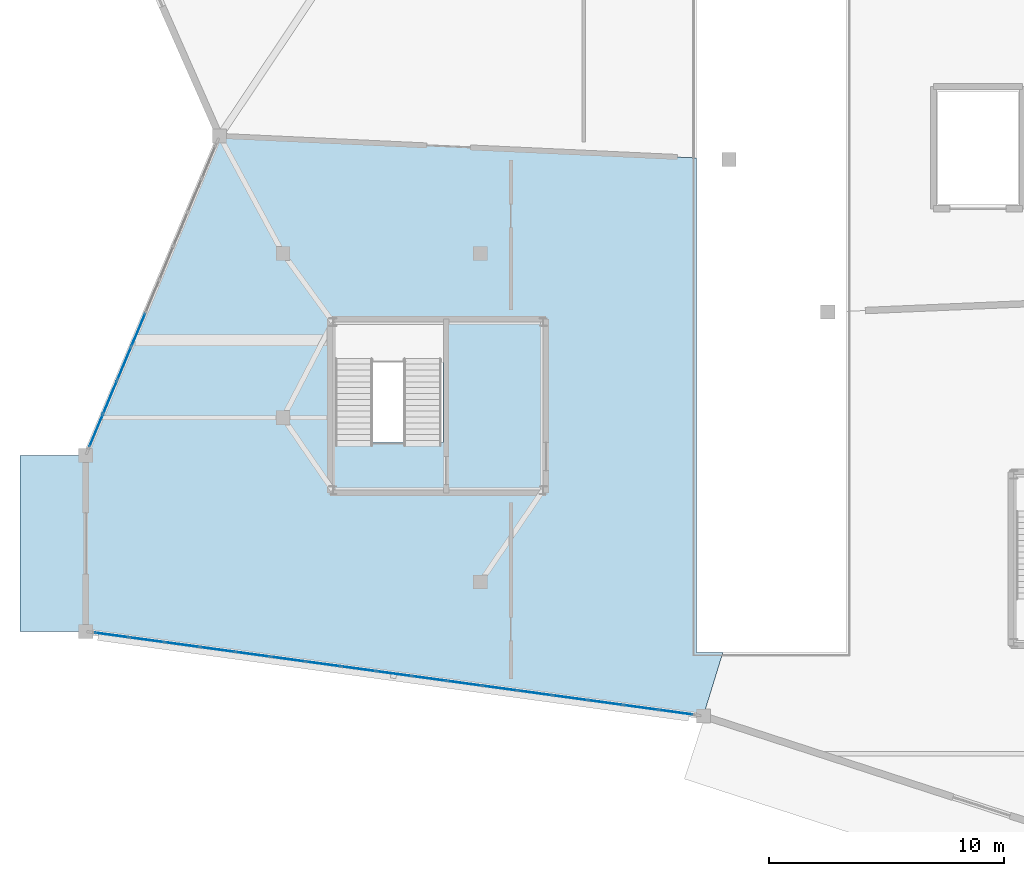
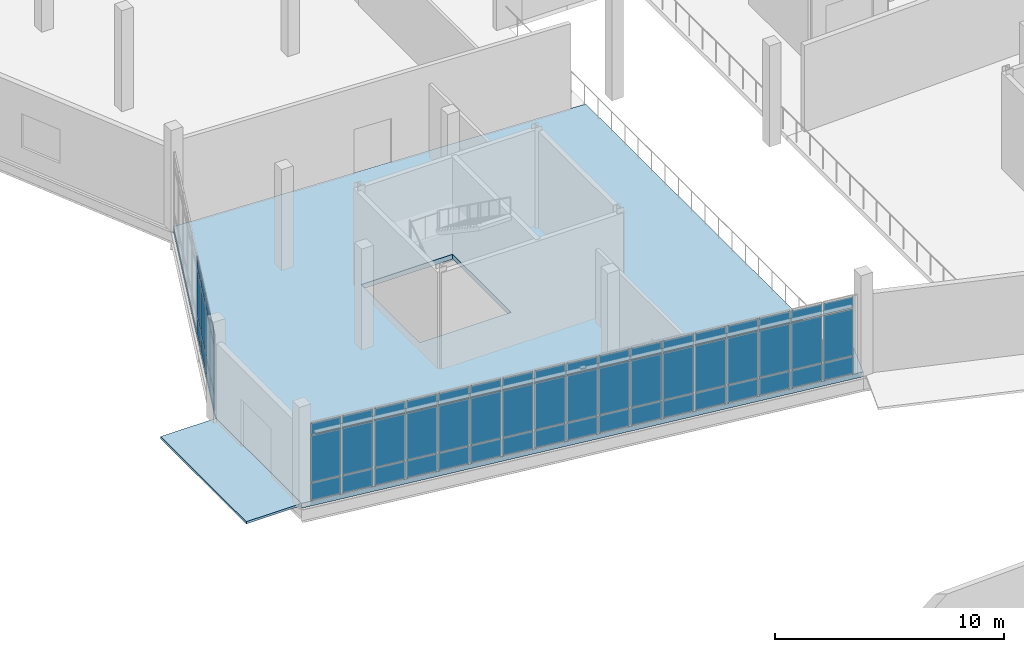
# One storey, part 75 of 113: 63 plates, 2 slabs, 2 elements without a shape of their own.
"""IFC4 building model written with IfcOpenShell, lengths in metres."""

from ifc_helpers import new_model, si_unit, direction, frame, origin, origin_2d, place, context, subcontext, project, spatial, polyline, rectangle, outline, extrude, material, layer, layer_set, type_object, element, aggregate, save


model = new_model("IFC4")

# Units and contexts
model_context = context("Model", 3, precision=1e-05, world=origin(), true_north=direction((0.0, 1.0)))
body_context = subcontext(model_context, "Body", "Model", "MODEL_VIEW")
ifc_project = project(units=[si_unit("LENGTHUNIT", "METRE"), si_unit("AREAUNIT", "SQUARE_METRE"), si_unit("VOLUMEUNIT", "CUBIC_METRE"), si_unit("PLANEANGLEUNIT", "RADIAN"), si_unit("MASSUNIT", "GRAM", prefix="KILO")], contexts=[model_context])

# Site, building, storey
site_placement = place(None, origin())
site = spatial("IfcSite", under=ifc_project, at=site_placement, CompositionType="ELEMENT")
building_placement = place(site_placement, origin())
building = spatial("IfcBuilding", under=site, at=building_placement, Name="Tameran Prism Museum", CompositionType="ELEMENT")
storey_placement = place(building_placement, origin())
storey = spatial("IfcBuildingStorey", under=building, at=storey_placement, Name="L00", CompositionType="ELEMENT", Elevation=0.0)

# Curtain wall, plates
ifc_material_1 = material(Name="Anodised Aluminium 6063-T6 and Cyclone Solar Glass", Category="aluminium")
curtain_wall_type_1 = type_object("IfcCurtainWallType", Name="CW-FAC-2579x422", PredefinedType="USERDEFINED", material=ifc_material_1)
curtain_wall_1_placement = place(storey_placement, origin())
curtain_wall_1 = element("IfcCurtainWall", 1, at=curtain_wall_1_placement, inside=storey, type_object=curtain_wall_type_1, Name="Unitised Curtain Wall CW-051", ObjectType="UNITISED CURTAIN WALL", PredefinedType="USERDEFINED")
ifc_material_2 = material(Name="Low-E Laminated Solar Glass", Category="glass")
ifc_layer_1 = layer(ifc_material_2, 0.028076171875)
ifc_layer_set_1 = layer_set([ifc_layer_1])
plate_type_1 = type_object("IfcPlateType", Name="CW-PNL-G28", PredefinedType="CURTAIN_PANEL", material=ifc_layer_set_1)
plate_1_placement = place(storey_placement, frame((25.12646484375, 64.460205078125, 0.06494140625), z_axis=(0.0, 0.0, 1.0), x_axis=(-0.990755679961, 0.135658330466, 0.0)))
plate_1 = element("IfcPlate", 2, at=plate_1_placement, type_object=plate_type_1, Name="CW-051 panel 1.1", PredefinedType="CURTAIN_PANEL", context=body_context, shape_type="SweptSolid", body=[
    extrude(rectangle(XDim=1.419189453125, YDim=0.028076171875, at=origin_2d()), origin(), (0.0, 0.0, 1.0), 0.902587890625),
])
plate_2_placement = place(storey_placement, frame((25.12646484375, 64.460205078125, 1.032470703125), z_axis=(0.0, 0.0, 1.0), x_axis=(-0.990755679961, 0.135658330466, 0.0)))
plate_2 = element("IfcPlate", 3, at=plate_2_placement, type_object=plate_type_1, Name="CW-051 panel 1.2", PredefinedType="CURTAIN_PANEL", context=body_context, shape_type="SweptSolid", body=[
    extrude(rectangle(XDim=1.419189453125, YDim=0.028076171875, at=origin_2d()), origin(), (0.0, 0.0, 1.0), 2.47509765625),
])
plate_3_placement = place(storey_placement, frame((25.12646484375, 64.460205078125, 3.572509765625), z_axis=(0.0, 0.0, 1.0), x_axis=(-0.990755679961, 0.135658330466, 0.0)))
plate_3 = element("IfcPlate", 4, at=plate_3_placement, type_object=plate_type_1, Name="CW-051 panel 1.3", PredefinedType="CURTAIN_PANEL", context=body_context, shape_type="SweptSolid", body=[
    extrude(rectangle(XDim=1.419189453125, YDim=0.028076171875, at=origin_2d()), origin(), (0.0, 0.0, 1.0), 0.58251953125),
])
plate_4_placement = place(storey_placement, frame((23.639892578125, 64.66357421875, 0.06494140625), z_axis=(0.0, 0.0, 1.0), x_axis=(-0.990755679961, 0.135658330466, 0.0)))
plate_4 = element("IfcPlate", 5, at=plate_4_placement, type_object=plate_type_1, Name="CW-051 panel 2.1", PredefinedType="CURTAIN_PANEL", context=body_context, shape_type="SweptSolid", body=[
    extrude(rectangle(XDim=1.451904296875, YDim=0.028076171875, at=origin_2d()), origin(), (0.0, 0.0, 1.0), 0.902587890625),
])
plate_5_placement = place(storey_placement, frame((23.639892578125, 64.66357421875, 1.032470703125), z_axis=(0.0, 0.0, 1.0), x_axis=(-0.990755679961, 0.135658330466, 0.0)))
plate_5 = element("IfcPlate", 6, at=plate_5_placement, type_object=plate_type_1, Name="CW-051 panel 2.2", PredefinedType="CURTAIN_PANEL", context=body_context, shape_type="SweptSolid", body=[
    extrude(rectangle(XDim=1.451904296875, YDim=0.028076171875, at=origin_2d()), origin(), (0.0, 0.0, 1.0), 2.47509765625),
])
plate_6_placement = place(storey_placement, frame((23.639892578125, 64.66357421875, 3.572509765625), z_axis=(0.0, 0.0, 1.0), x_axis=(-0.990755679961, 0.135658330466, 0.0)))
plate_6 = element("IfcPlate", 7, at=plate_6_placement, type_object=plate_type_1, Name="CW-051 panel 2.3", PredefinedType="CURTAIN_PANEL", context=body_context, shape_type="SweptSolid", body=[
    extrude(rectangle(XDim=1.451904296875, YDim=0.028076171875, at=origin_2d()), origin(), (0.0, 0.0, 1.0), 0.58251953125),
])
plate_7_placement = place(storey_placement, frame((22.13720703125, 64.869384765625, 0.06494140625), z_axis=(0.0, 0.0, 1.0), x_axis=(-0.990755679961, 0.135658330466, 0.0)))
plate_7 = element("IfcPlate", 8, at=plate_7_placement, type_object=plate_type_1, Name="CW-051 panel 3.1", PredefinedType="CURTAIN_PANEL", context=body_context, shape_type="SweptSolid", body=[
    extrude(rectangle(XDim=1.451904296875, YDim=0.028076171875, at=origin_2d()), origin(), (0.0, 0.0, 1.0), 0.902587890625),
])
plate_8_placement = place(storey_placement, frame((22.13720703125, 64.869384765625, 1.032470703125), z_axis=(0.0, 0.0, 1.0), x_axis=(-0.990755679961, 0.135658330466, 0.0)))
plate_8 = element("IfcPlate", 9, at=plate_8_placement, type_object=plate_type_1, Name="CW-051 panel 3.2", PredefinedType="CURTAIN_PANEL", context=body_context, shape_type="SweptSolid", body=[
    extrude(rectangle(XDim=1.451904296875, YDim=0.028076171875, at=origin_2d()), origin(), (0.0, 0.0, 1.0), 2.47509765625),
])
plate_9_placement = place(storey_placement, frame((22.13720703125, 64.869384765625, 3.572509765625), z_axis=(0.0, 0.0, 1.0), x_axis=(-0.990755679961, 0.135658330466, 0.0)))
plate_9 = element("IfcPlate", 10, at=plate_9_placement, type_object=plate_type_1, Name="CW-051 panel 3.3", PredefinedType="CURTAIN_PANEL", context=body_context, shape_type="SweptSolid", body=[
    extrude(rectangle(XDim=1.451904296875, YDim=0.028076171875, at=origin_2d()), origin(), (0.0, 0.0, 1.0), 0.58251953125),
])
plate_10_placement = place(storey_placement, frame((20.63427734375, 65.0751953125, 0.06494140625), z_axis=(0.0, 0.0, 1.0), x_axis=(-0.990755679961, 0.135658330466, 0.0)))
plate_10 = element("IfcPlate", 11, at=plate_10_placement, type_object=plate_type_1, Name="CW-051 panel 4.1", PredefinedType="CURTAIN_PANEL", context=body_context, shape_type="SweptSolid", body=[
    extrude(rectangle(XDim=1.451904296875, YDim=0.028076171875, at=origin_2d()), origin(), (0.0, 0.0, 1.0), 0.902587890625),
])
plate_11_placement = place(storey_placement, frame((20.63427734375, 65.0751953125, 1.032470703125), z_axis=(0.0, 0.0, 1.0), x_axis=(-0.990755679961, 0.135658330466, 0.0)))
plate_11 = element("IfcPlate", 12, at=plate_11_placement, type_object=plate_type_1, Name="CW-051 panel 4.2", PredefinedType="CURTAIN_PANEL", context=body_context, shape_type="SweptSolid", body=[
    extrude(rectangle(XDim=1.451904296875, YDim=0.028076171875, at=origin_2d()), origin(), (0.0, 0.0, 1.0), 2.47509765625),
])
plate_12_placement = place(storey_placement, frame((20.63427734375, 65.0751953125, 3.572509765625), z_axis=(0.0, 0.0, 1.0), x_axis=(-0.990755679961, 0.135658330466, 0.0)))
plate_12 = element("IfcPlate", 13, at=plate_12_placement, type_object=plate_type_1, Name="CW-051 panel 4.3", PredefinedType="CURTAIN_PANEL", context=body_context, shape_type="SweptSolid", body=[
    extrude(rectangle(XDim=1.451904296875, YDim=0.028076171875, at=origin_2d()), origin(), (0.0, 0.0, 1.0), 0.58251953125),
])
plate_13_placement = place(storey_placement, frame((19.131591796875, 65.281005859375, 0.06494140625), z_axis=(0.0, 0.0, 1.0), x_axis=(-0.990755679961, 0.135658330466, 0.0)))
plate_13 = element("IfcPlate", 14, at=plate_13_placement, type_object=plate_type_1, Name="CW-051 panel 5.1", PredefinedType="CURTAIN_PANEL", context=body_context, shape_type="SweptSolid", body=[
    extrude(rectangle(XDim=1.451904296875, YDim=0.028076171875, at=origin_2d()), origin(), (0.0, 0.0, 1.0), 0.902587890625),
])
plate_14_placement = place(storey_placement, frame((19.131591796875, 65.281005859375, 1.032470703125), z_axis=(0.0, 0.0, 1.0), x_axis=(-0.990755679961, 0.135658330466, 0.0)))
plate_14 = element("IfcPlate", 15, at=plate_14_placement, type_object=plate_type_1, Name="CW-051 panel 5.2", PredefinedType="CURTAIN_PANEL", context=body_context, shape_type="SweptSolid", body=[
    extrude(rectangle(XDim=1.451904296875, YDim=0.028076171875, at=origin_2d()), origin(), (0.0, 0.0, 1.0), 2.47509765625),
])
plate_15_placement = place(storey_placement, frame((19.131591796875, 65.281005859375, 3.572509765625), z_axis=(0.0, 0.0, 1.0), x_axis=(-0.990755679961, 0.135658330466, 0.0)))
plate_15 = element("IfcPlate", 16, at=plate_15_placement, type_object=plate_type_1, Name="CW-051 panel 5.3", PredefinedType="CURTAIN_PANEL", context=body_context, shape_type="SweptSolid", body=[
    extrude(rectangle(XDim=1.451904296875, YDim=0.028076171875, at=origin_2d()), origin(), (0.0, 0.0, 1.0), 0.58251953125),
])
plate_16_placement = place(storey_placement, frame((17.62890625, 65.48681640625, 0.06494140625), z_axis=(0.0, 0.0, 1.0), x_axis=(-0.990755679961, 0.135658330466, 0.0)))
plate_16 = element("IfcPlate", 17, at=plate_16_placement, type_object=plate_type_1, Name="CW-051 panel 6.1", PredefinedType="CURTAIN_PANEL", context=body_context, shape_type="SweptSolid", body=[
    extrude(rectangle(XDim=1.451904296875, YDim=0.028076171875, at=origin_2d()), origin(), (0.0, 0.0, 1.0), 0.902587890625),
])
plate_17_placement = place(storey_placement, frame((17.62890625, 65.48681640625, 1.032470703125), z_axis=(0.0, 0.0, 1.0), x_axis=(-0.990755679961, 0.135658330466, 0.0)))
plate_17 = element("IfcPlate", 18, at=plate_17_placement, type_object=plate_type_1, Name="CW-051 panel 6.2", PredefinedType="CURTAIN_PANEL", context=body_context, shape_type="SweptSolid", body=[
    extrude(rectangle(XDim=1.451904296875, YDim=0.028076171875, at=origin_2d()), origin(), (0.0, 0.0, 1.0), 2.47509765625),
])
plate_18_placement = place(storey_placement, frame((17.62890625, 65.48681640625, 3.572509765625), z_axis=(0.0, 0.0, 1.0), x_axis=(-0.990755679961, 0.135658330466, 0.0)))
plate_18 = element("IfcPlate", 19, at=plate_18_placement, type_object=plate_type_1, Name="CW-051 panel 6.3", PredefinedType="CURTAIN_PANEL", context=body_context, shape_type="SweptSolid", body=[
    extrude(rectangle(XDim=1.451904296875, YDim=0.028076171875, at=origin_2d()), origin(), (0.0, 0.0, 1.0), 0.58251953125),
])
plate_19_placement = place(storey_placement, frame((16.1259765625, 65.6923828125, 0.06494140625), z_axis=(0.0, 0.0, 1.0), x_axis=(-0.990755679961, 0.135658330466, 0.0)))
plate_19 = element("IfcPlate", 20, at=plate_19_placement, type_object=plate_type_1, Name="CW-051 panel 7.1", PredefinedType="CURTAIN_PANEL", context=body_context, shape_type="SweptSolid", body=[
    extrude(rectangle(XDim=1.451904296875, YDim=0.028076171875, at=origin_2d()), origin(), (0.0, 0.0, 1.0), 0.902587890625),
])
plate_20_placement = place(storey_placement, frame((16.1259765625, 65.6923828125, 1.032470703125), z_axis=(0.0, 0.0, 1.0), x_axis=(-0.990755679961, 0.135658330466, 0.0)))
plate_20 = element("IfcPlate", 21, at=plate_20_placement, type_object=plate_type_1, Name="CW-051 panel 7.2", PredefinedType="CURTAIN_PANEL", context=body_context, shape_type="SweptSolid", body=[
    extrude(rectangle(XDim=1.451904296875, YDim=0.028076171875, at=origin_2d()), origin(), (0.0, 0.0, 1.0), 2.47509765625),
])
plate_21_placement = place(storey_placement, frame((16.1259765625, 65.6923828125, 3.572509765625), z_axis=(0.0, 0.0, 1.0), x_axis=(-0.990755679961, 0.135658330466, 0.0)))
plate_21 = element("IfcPlate", 22, at=plate_21_placement, type_object=plate_type_1, Name="CW-051 panel 7.3", PredefinedType="CURTAIN_PANEL", context=body_context, shape_type="SweptSolid", body=[
    extrude(rectangle(XDim=1.451904296875, YDim=0.028076171875, at=origin_2d()), origin(), (0.0, 0.0, 1.0), 0.58251953125),
])
plate_22_placement = place(storey_placement, frame((14.623291015625, 65.898193359375, 0.06494140625), z_axis=(0.0, 0.0, 1.0), x_axis=(-0.990755679961, 0.135658330466, 0.0)))
plate_22 = element("IfcPlate", 23, at=plate_22_placement, type_object=plate_type_1, Name="CW-051 panel 8.1", PredefinedType="CURTAIN_PANEL", context=body_context, shape_type="SweptSolid", body=[
    extrude(rectangle(XDim=1.451904296875, YDim=0.028076171875, at=origin_2d()), origin(), (0.0, 0.0, 1.0), 0.902587890625),
])
plate_23_placement = place(storey_placement, frame((14.623291015625, 65.898193359375, 1.032470703125), z_axis=(0.0, 0.0, 1.0), x_axis=(-0.990755679961, 0.135658330466, 0.0)))
plate_23 = element("IfcPlate", 24, at=plate_23_placement, type_object=plate_type_1, Name="CW-051 panel 8.2", PredefinedType="CURTAIN_PANEL", context=body_context, shape_type="SweptSolid", body=[
    extrude(rectangle(XDim=1.451904296875, YDim=0.028076171875, at=origin_2d()), origin(), (0.0, 0.0, 1.0), 2.47509765625),
])
plate_24_placement = place(storey_placement, frame((14.623291015625, 65.898193359375, 3.572509765625), z_axis=(0.0, 0.0, 1.0), x_axis=(-0.990755679961, 0.135658330466, 0.0)))
plate_24 = element("IfcPlate", 25, at=plate_24_placement, type_object=plate_type_1, Name="CW-051 panel 8.3", PredefinedType="CURTAIN_PANEL", context=body_context, shape_type="SweptSolid", body=[
    extrude(rectangle(XDim=1.451904296875, YDim=0.028076171875, at=origin_2d()), origin(), (0.0, 0.0, 1.0), 0.58251953125),
])
plate_25_placement = place(storey_placement, frame((13.12060546875, 66.10400390625, 0.06494140625), z_axis=(0.0, 0.0, 1.0), x_axis=(-0.990755679961, 0.135658330466, 0.0)))
plate_25 = element("IfcPlate", 26, at=plate_25_placement, type_object=plate_type_1, Name="CW-051 panel 9.1", PredefinedType="CURTAIN_PANEL", context=body_context, shape_type="SweptSolid", body=[
    extrude(rectangle(XDim=1.451904296875, YDim=0.028076171875, at=origin_2d()), origin(), (0.0, 0.0, 1.0), 0.902587890625),
])
plate_26_placement = place(storey_placement, frame((13.12060546875, 66.10400390625, 1.032470703125), z_axis=(0.0, 0.0, 1.0), x_axis=(-0.990755679961, 0.135658330466, 0.0)))
plate_26 = element("IfcPlate", 27, at=plate_26_placement, type_object=plate_type_1, Name="CW-051 panel 9.2", PredefinedType="CURTAIN_PANEL", context=body_context, shape_type="SweptSolid", body=[
    extrude(rectangle(XDim=1.451904296875, YDim=0.028076171875, at=origin_2d()), origin(), (0.0, 0.0, 1.0), 2.47509765625),
])
plate_27_placement = place(storey_placement, frame((13.12060546875, 66.10400390625, 3.572509765625), z_axis=(0.0, 0.0, 1.0), x_axis=(-0.990755679961, 0.135658330466, 0.0)))
plate_27 = element("IfcPlate", 28, at=plate_27_placement, type_object=plate_type_1, Name="CW-051 panel 9.3", PredefinedType="CURTAIN_PANEL", context=body_context, shape_type="SweptSolid", body=[
    extrude(rectangle(XDim=1.451904296875, YDim=0.028076171875, at=origin_2d()), origin(), (0.0, 0.0, 1.0), 0.58251953125),
])
plate_28_placement = place(storey_placement, frame((11.61767578125, 66.309814453125, 0.06494140625), z_axis=(0.0, 0.0, 1.0), x_axis=(-0.990755679961, 0.135658330466, 0.0)))
plate_28 = element("IfcPlate", 29, at=plate_28_placement, type_object=plate_type_1, Name="CW-051 panel 10.1", PredefinedType="CURTAIN_PANEL", context=body_context, shape_type="SweptSolid", body=[
    extrude(rectangle(XDim=1.451904296875, YDim=0.028076171875, at=origin_2d()), origin(), (0.0, 0.0, 1.0), 0.902587890625),
])
plate_29_placement = place(storey_placement, frame((11.61767578125, 66.309814453125, 1.032470703125), z_axis=(0.0, 0.0, 1.0), x_axis=(-0.990755679961, 0.135658330466, 0.0)))
plate_29 = element("IfcPlate", 30, at=plate_29_placement, type_object=plate_type_1, Name="CW-051 panel 10.2", PredefinedType="CURTAIN_PANEL", context=body_context, shape_type="SweptSolid", body=[
    extrude(rectangle(XDim=1.451904296875, YDim=0.028076171875, at=origin_2d()), origin(), (0.0, 0.0, 1.0), 2.47509765625),
])
plate_30_placement = place(storey_placement, frame((11.61767578125, 66.309814453125, 3.572509765625), z_axis=(0.0, 0.0, 1.0), x_axis=(-0.990755679961, 0.135658330466, 0.0)))
plate_30 = element("IfcPlate", 31, at=plate_30_placement, type_object=plate_type_1, Name="CW-051 panel 10.3", PredefinedType="CURTAIN_PANEL", context=body_context, shape_type="SweptSolid", body=[
    extrude(rectangle(XDim=1.451904296875, YDim=0.028076171875, at=origin_2d()), origin(), (0.0, 0.0, 1.0), 0.58251953125),
])
plate_31_placement = place(storey_placement, frame((10.114990234375, 66.515625, 0.06494140625), z_axis=(0.0, 0.0, 1.0), x_axis=(-0.990755679961, 0.135658330466, 0.0)))
plate_31 = element("IfcPlate", 32, at=plate_31_placement, type_object=plate_type_1, Name="CW-051 panel 11.1", PredefinedType="CURTAIN_PANEL", context=body_context, shape_type="SweptSolid", body=[
    extrude(rectangle(XDim=1.451904296875, YDim=0.028076171875, at=origin_2d()), origin(), (0.0, 0.0, 1.0), 0.902587890625),
])
plate_32_placement = place(storey_placement, frame((10.114990234375, 66.515625, 1.032470703125), z_axis=(0.0, 0.0, 1.0), x_axis=(-0.990755679961, 0.135658330466, 0.0)))
plate_32 = element("IfcPlate", 33, at=plate_32_placement, type_object=plate_type_1, Name="CW-051 panel 11.2", PredefinedType="CURTAIN_PANEL", context=body_context, shape_type="SweptSolid", body=[
    extrude(rectangle(XDim=1.451904296875, YDim=0.028076171875, at=origin_2d()), origin(), (0.0, 0.0, 1.0), 2.47509765625),
])
plate_33_placement = place(storey_placement, frame((10.114990234375, 66.515625, 3.572509765625), z_axis=(0.0, 0.0, 1.0), x_axis=(-0.990755679961, 0.135658330466, 0.0)))
plate_33 = element("IfcPlate", 34, at=plate_33_placement, type_object=plate_type_1, Name="CW-051 panel 11.3", PredefinedType="CURTAIN_PANEL", context=body_context, shape_type="SweptSolid", body=[
    extrude(rectangle(XDim=1.451904296875, YDim=0.028076171875, at=origin_2d()), origin(), (0.0, 0.0, 1.0), 0.58251953125),
])
plate_34_placement = place(storey_placement, frame((8.6123046875, 66.72119140625, 0.06494140625), z_axis=(0.0, 0.0, 1.0), x_axis=(-0.990755679961, 0.135658330466, 0.0)))
plate_34 = element("IfcPlate", 35, at=plate_34_placement, type_object=plate_type_1, Name="CW-051 panel 12.1", PredefinedType="CURTAIN_PANEL", context=body_context, shape_type="SweptSolid", body=[
    extrude(rectangle(XDim=1.451904296875, YDim=0.028076171875, at=origin_2d()), origin(), (0.0, 0.0, 1.0), 0.902587890625),
])
plate_35_placement = place(storey_placement, frame((8.6123046875, 66.72119140625, 1.032470703125), z_axis=(0.0, 0.0, 1.0), x_axis=(-0.990755679961, 0.135658330466, 0.0)))
plate_35 = element("IfcPlate", 36, at=plate_35_placement, type_object=plate_type_1, Name="CW-051 panel 12.2", PredefinedType="CURTAIN_PANEL", context=body_context, shape_type="SweptSolid", body=[
    extrude(rectangle(XDim=1.451904296875, YDim=0.028076171875, at=origin_2d()), origin(), (0.0, 0.0, 1.0), 2.47509765625),
])
plate_36_placement = place(storey_placement, frame((8.6123046875, 66.72119140625, 3.572509765625), z_axis=(0.0, 0.0, 1.0), x_axis=(-0.990755679961, 0.135658330466, 0.0)))
plate_36 = element("IfcPlate", 37, at=plate_36_placement, type_object=plate_type_1, Name="CW-051 panel 12.3", PredefinedType="CURTAIN_PANEL", context=body_context, shape_type="SweptSolid", body=[
    extrude(rectangle(XDim=1.451904296875, YDim=0.028076171875, at=origin_2d()), origin(), (0.0, 0.0, 1.0), 0.58251953125),
])
plate_37_placement = place(storey_placement, frame((7.109375, 66.927001953125, 0.06494140625), z_axis=(0.0, 0.0, 1.0), x_axis=(-0.990755679961, 0.135658330466, 0.0)))
plate_37 = element("IfcPlate", 38, at=plate_37_placement, type_object=plate_type_1, Name="CW-051 panel 13.1", PredefinedType="CURTAIN_PANEL", context=body_context, shape_type="SweptSolid", body=[
    extrude(rectangle(XDim=1.451904296875, YDim=0.028076171875, at=origin_2d()), origin(), (0.0, 0.0, 1.0), 0.902587890625),
])
plate_38_placement = place(storey_placement, frame((7.109375, 66.927001953125, 1.032470703125), z_axis=(0.0, 0.0, 1.0), x_axis=(-0.990755679961, 0.135658330466, 0.0)))
plate_38 = element("IfcPlate", 39, at=plate_38_placement, type_object=plate_type_1, Name="CW-051 panel 13.2", PredefinedType="CURTAIN_PANEL", context=body_context, shape_type="SweptSolid", body=[
    extrude(rectangle(XDim=1.451904296875, YDim=0.028076171875, at=origin_2d()), origin(), (0.0, 0.0, 1.0), 2.47509765625),
])
plate_39_placement = place(storey_placement, frame((7.109375, 66.927001953125, 3.572509765625), z_axis=(0.0, 0.0, 1.0), x_axis=(-0.990755679961, 0.135658330466, 0.0)))
plate_39 = element("IfcPlate", 40, at=plate_39_placement, type_object=plate_type_1, Name="CW-051 panel 13.3", PredefinedType="CURTAIN_PANEL", context=body_context, shape_type="SweptSolid", body=[
    extrude(rectangle(XDim=1.451904296875, YDim=0.028076171875, at=origin_2d()), origin(), (0.0, 0.0, 1.0), 0.58251953125),
])
plate_40_placement = place(storey_placement, frame((5.606689453125, 67.1328125, 0.06494140625), z_axis=(0.0, 0.0, 1.0), x_axis=(-0.990755679961, 0.135658330466, 0.0)))
plate_40 = element("IfcPlate", 41, at=plate_40_placement, type_object=plate_type_1, Name="CW-051 panel 14.1", PredefinedType="CURTAIN_PANEL", context=body_context, shape_type="SweptSolid", body=[
    extrude(rectangle(XDim=1.451904296875, YDim=0.028076171875, at=origin_2d()), origin(), (0.0, 0.0, 1.0), 0.902587890625),
])
plate_41_placement = place(storey_placement, frame((5.606689453125, 67.1328125, 1.032470703125), z_axis=(0.0, 0.0, 1.0), x_axis=(-0.990755679961, 0.135658330466, 0.0)))
plate_41 = element("IfcPlate", 42, at=plate_41_placement, type_object=plate_type_1, Name="CW-051 panel 14.2", PredefinedType="CURTAIN_PANEL", context=body_context, shape_type="SweptSolid", body=[
    extrude(rectangle(XDim=1.451904296875, YDim=0.028076171875, at=origin_2d()), origin(), (0.0, 0.0, 1.0), 2.47509765625),
])
plate_42_placement = place(storey_placement, frame((5.606689453125, 67.1328125, 3.572509765625), z_axis=(0.0, 0.0, 1.0), x_axis=(-0.990755679961, 0.135658330466, 0.0)))
plate_42 = element("IfcPlate", 43, at=plate_42_placement, type_object=plate_type_1, Name="CW-051 panel 14.3", PredefinedType="CURTAIN_PANEL", context=body_context, shape_type="SweptSolid", body=[
    extrude(rectangle(XDim=1.451904296875, YDim=0.028076171875, at=origin_2d()), origin(), (0.0, 0.0, 1.0), 0.58251953125),
])
plate_43_placement = place(storey_placement, frame((4.10400390625, 67.338623046875, 0.06494140625), z_axis=(0.0, 0.0, 1.0), x_axis=(-0.990755679961, 0.135658330466, 0.0)))
plate_43 = element("IfcPlate", 44, at=plate_43_placement, type_object=plate_type_1, Name="CW-051 panel 15.1", PredefinedType="CURTAIN_PANEL", context=body_context, shape_type="SweptSolid", body=[
    extrude(rectangle(XDim=1.451904296875, YDim=0.028076171875, at=origin_2d()), origin(), (0.0, 0.0, 1.0), 0.902587890625),
])
plate_44_placement = place(storey_placement, frame((4.10400390625, 67.338623046875, 1.032470703125), z_axis=(0.0, 0.0, 1.0), x_axis=(-0.990755679961, 0.135658330466, 0.0)))
plate_44 = element("IfcPlate", 45, at=plate_44_placement, type_object=plate_type_1, Name="CW-051 panel 15.2", PredefinedType="CURTAIN_PANEL", context=body_context, shape_type="SweptSolid", body=[
    extrude(rectangle(XDim=1.451904296875, YDim=0.028076171875, at=origin_2d()), origin(), (0.0, 0.0, 1.0), 2.47509765625),
])
plate_45_placement = place(storey_placement, frame((4.10400390625, 67.338623046875, 3.572509765625), z_axis=(0.0, 0.0, 1.0), x_axis=(-0.990755679961, 0.135658330466, 0.0)))
plate_45 = element("IfcPlate", 46, at=plate_45_placement, type_object=plate_type_1, Name="CW-051 panel 15.3", PredefinedType="CURTAIN_PANEL", context=body_context, shape_type="SweptSolid", body=[
    extrude(rectangle(XDim=1.451904296875, YDim=0.028076171875, at=origin_2d()), origin(), (0.0, 0.0, 1.0), 0.58251953125),
])
plate_46_placement = place(storey_placement, frame((2.60107421875, 67.54443359375, 0.06494140625), z_axis=(0.0, 0.0, 1.0), x_axis=(-0.990755679961, 0.135658330466, 0.0)))
plate_46 = element("IfcPlate", 47, at=plate_46_placement, type_object=plate_type_1, Name="CW-051 panel 16.1", PredefinedType="CURTAIN_PANEL", context=body_context, shape_type="SweptSolid", body=[
    extrude(rectangle(XDim=1.451904296875, YDim=0.028076171875, at=origin_2d()), origin(), (0.0, 0.0, 1.0), 0.902587890625),
])
plate_47_placement = place(storey_placement, frame((2.60107421875, 67.54443359375, 1.032470703125), z_axis=(0.0, 0.0, 1.0), x_axis=(-0.990755679961, 0.135658330466, 0.0)))
plate_47 = element("IfcPlate", 48, at=plate_47_placement, type_object=plate_type_1, Name="CW-051 panel 16.2", PredefinedType="CURTAIN_PANEL", context=body_context, shape_type="SweptSolid", body=[
    extrude(rectangle(XDim=1.451904296875, YDim=0.028076171875, at=origin_2d()), origin(), (0.0, 0.0, 1.0), 2.47509765625),
])
plate_48_placement = place(storey_placement, frame((2.60107421875, 67.54443359375, 3.572509765625), z_axis=(0.0, 0.0, 1.0), x_axis=(-0.990755679961, 0.135658330466, 0.0)))
plate_48 = element("IfcPlate", 49, at=plate_48_placement, type_object=plate_type_1, Name="CW-051 panel 16.3", PredefinedType="CURTAIN_PANEL", context=body_context, shape_type="SweptSolid", body=[
    extrude(rectangle(XDim=1.451904296875, YDim=0.028076171875, at=origin_2d()), origin(), (0.0, 0.0, 1.0), 0.58251953125),
])
plate_49_placement = place(storey_placement, frame((1.114501953125, 67.747802734375, 0.06494140625), z_axis=(0.0, 0.0, 1.0), x_axis=(-0.990755679961, 0.135658330466, 0.0)))
plate_49 = element("IfcPlate", 50, at=plate_49_placement, type_object=plate_type_1, Name="CW-051 panel 17.1", PredefinedType="CURTAIN_PANEL", context=body_context, shape_type="SweptSolid", body=[
    extrude(rectangle(XDim=1.419189453125, YDim=0.028076171875, at=origin_2d()), origin(), (0.0, 0.0, 1.0), 0.902587890625),
])
plate_50_placement = place(storey_placement, frame((1.114501953125, 67.747802734375, 1.032470703125), z_axis=(0.0, 0.0, 1.0), x_axis=(-0.990755679961, 0.135658330466, 0.0)))
plate_50 = element("IfcPlate", 51, at=plate_50_placement, type_object=plate_type_1, Name="CW-051 panel 17.2", PredefinedType="CURTAIN_PANEL", context=body_context, shape_type="SweptSolid", body=[
    extrude(rectangle(XDim=1.419189453125, YDim=0.028076171875, at=origin_2d()), origin(), (0.0, 0.0, 1.0), 2.47509765625),
])
plate_51_placement = place(storey_placement, frame((1.114501953125, 67.747802734375, 3.572509765625), z_axis=(0.0, 0.0, 1.0), x_axis=(-0.990755679961, 0.135658330466, 0.0)))
plate_51 = element("IfcPlate", 52, at=plate_51_placement, type_object=plate_type_1, Name="CW-051 panel 17.3", PredefinedType="CURTAIN_PANEL", context=body_context, shape_type="SweptSolid", body=[
    extrude(rectangle(XDim=1.419189453125, YDim=0.028076171875, at=origin_2d()), origin(), (0.0, 0.0, 1.0), 0.58251953125),
])
aggregate(curtain_wall_1, [plate_1, plate_2, plate_3, plate_4, plate_5, plate_6, plate_7, plate_8, plate_9, plate_10, plate_11, plate_12, plate_13, plate_14, plate_15, plate_16, plate_17, plate_18, plate_19, plate_20, plate_21, plate_22, plate_23, plate_24, plate_25, plate_26, plate_27, plate_28, plate_29, plate_30, plate_31, plate_32, plate_33, plate_34, plate_35, plate_36, plate_37, plate_38, plate_39, plate_40, plate_41, plate_42, plate_43, plate_44, plate_45, plate_46, plate_47, plate_48, plate_49, plate_50, plate_51])

ifc_material_3 = material(Name="Anodised Aluminium 6063-T6 and Cyclone Solar Glass", Category="aluminium")
curtain_wall_type_2 = type_object("IfcCurtainWallType", Name="CW-FAC-1399x422", PredefinedType="USERDEFINED", material=ifc_material_3)
curtain_wall_2_placement = place(storey_placement, origin())
curtain_wall_2 = element("IfcCurtainWall", 53, at=curtain_wall_2_placement, inside=storey, type_object=curtain_wall_type_2, Name="Unitised Curtain Wall CW-052", ObjectType="UNITISED CURTAIN WALL", PredefinedType="USERDEFINED")
ifc_material_4 = material(Name="Cyclone Laminated Solar Glass", Category="glass")
ifc_layer_2 = layer(ifc_material_4, 0.031982421875)
ifc_layer_set_2 = layer_set([ifc_layer_2])
plate_type_2 = type_object("IfcPlateType", Name="CW-PNL-G32", PredefinedType="CURTAIN_PANEL", material=ifc_layer_set_2)
plate_52_placement = place(storey_placement, frame((0.442138671875, 76.455810546875, 0.070068359375), z_axis=(0.0, 0.0, 1.0), x_axis=(0.386589370609, 0.922251949595, 0.0)))
plate_52 = element("IfcPlate", 54, at=plate_52_placement, type_object=plate_type_2, Name="CW-052 panel 1.1", PredefinedType="CURTAIN_PANEL", context=body_context, shape_type="SweptSolid", body=[
    extrude(rectangle(XDim=1.448974609375, YDim=0.031982421875, at=origin_2d()), origin(), (0.0, 0.0, 1.0), 0.89501953125),
])
plate_53_placement = place(storey_placement, frame((0.442138671875, 76.455810546875, 1.03515625), z_axis=(0.0, 0.0, 1.0), x_axis=(0.386589370609, 0.922251949595, 0.0)))
plate_53 = element("IfcPlate", 55, at=plate_53_placement, type_object=plate_type_2, Name="CW-052 panel 1.2", PredefinedType="CURTAIN_PANEL", context=body_context, shape_type="SweptSolid", body=[
    extrude(rectangle(XDim=1.448974609375, YDim=0.031982421875, at=origin_2d()), origin(), (0.0, 0.0, 1.0), 2.469970703125),
])
plate_54_placement = place(storey_placement, frame((0.442138671875, 76.455810546875, 3.5751953125), z_axis=(0.0, 0.0, 1.0), x_axis=(0.386589370609, 0.922251949595, 0.0)))
plate_54 = element("IfcPlate", 56, at=plate_54_placement, type_object=plate_type_2, Name="CW-052 panel 1.3", PredefinedType="CURTAIN_PANEL", context=body_context, shape_type="SweptSolid", body=[
    extrude(rectangle(XDim=1.448974609375, YDim=0.031982421875, at=origin_2d()), origin(), (0.0, 0.0, 1.0), 0.574951171875),
])
plate_55_placement = place(storey_placement, frame((1.0361328125, 77.872802734375, 0.070068359375), z_axis=(0.0, 0.0, 1.0), x_axis=(0.386589370609, 0.922251949595, 0.0)))
plate_55 = element("IfcPlate", 57, at=plate_55_placement, type_object=plate_type_2, Name="CW-052 panel 2.1", PredefinedType="CURTAIN_PANEL", context=body_context, shape_type="SweptSolid", body=[
    extrude(rectangle(XDim=1.484130859375, YDim=0.031982421875, at=origin_2d()), origin(), (0.0, 0.0, 1.0), 0.89501953125),
])
plate_56_placement = place(storey_placement, frame((1.0361328125, 77.872802734375, 1.03515625), z_axis=(0.0, 0.0, 1.0), x_axis=(0.386589370609, 0.922251949595, 0.0)))
plate_56 = element("IfcPlate", 58, at=plate_56_placement, type_object=plate_type_2, Name="CW-052 panel 2.2", PredefinedType="CURTAIN_PANEL", context=body_context, shape_type="SweptSolid", body=[
    extrude(rectangle(XDim=1.484130859375, YDim=0.031982421875, at=origin_2d()), origin(), (0.0, 0.0, 1.0), 2.469970703125),
])
plate_57_placement = place(storey_placement, frame((1.0361328125, 77.872802734375, 3.5751953125), z_axis=(0.0, 0.0, 1.0), x_axis=(0.386589370609, 0.922251949595, 0.0)))
plate_57 = element("IfcPlate", 59, at=plate_57_placement, type_object=plate_type_2, Name="CW-052 panel 2.3", PredefinedType="CURTAIN_PANEL", context=body_context, shape_type="SweptSolid", body=[
    extrude(rectangle(XDim=1.484130859375, YDim=0.031982421875, at=origin_2d()), origin(), (0.0, 0.0, 1.0), 0.574951171875),
])
plate_58_placement = place(storey_placement, frame((1.636962890625, 79.30615234375, 0.070068359375), z_axis=(0.0, 0.0, 1.0), x_axis=(0.386589370609, 0.922251949595, 0.0)))
plate_58 = element("IfcPlate", 60, at=plate_58_placement, type_object=plate_type_2, Name="CW-052 panel 3.1", PredefinedType="CURTAIN_PANEL", context=body_context, shape_type="SweptSolid", body=[
    extrude(rectangle(XDim=1.484130859375, YDim=0.031982421875, at=origin_2d()), origin(), (0.0, 0.0, 1.0), 0.89501953125),
])
plate_59_placement = place(storey_placement, frame((1.636962890625, 79.30615234375, 1.03515625), z_axis=(0.0, 0.0, 1.0), x_axis=(0.386589370609, 0.922251949595, 0.0)))
plate_59 = element("IfcPlate", 61, at=plate_59_placement, type_object=plate_type_2, Name="CW-052 panel 3.2", PredefinedType="CURTAIN_PANEL", context=body_context, shape_type="SweptSolid", body=[
    extrude(rectangle(XDim=1.484130859375, YDim=0.031982421875, at=origin_2d()), origin(), (0.0, 0.0, 1.0), 2.469970703125),
])
plate_60_placement = place(storey_placement, frame((1.636962890625, 79.30615234375, 3.5751953125), z_axis=(0.0, 0.0, 1.0), x_axis=(0.386589370609, 0.922251949595, 0.0)))
plate_60 = element("IfcPlate", 62, at=plate_60_placement, type_object=plate_type_2, Name="CW-052 panel 3.3", PredefinedType="CURTAIN_PANEL", context=body_context, shape_type="SweptSolid", body=[
    extrude(rectangle(XDim=1.484130859375, YDim=0.031982421875, at=origin_2d()), origin(), (0.0, 0.0, 1.0), 0.574951171875),
])
plate_61_placement = place(storey_placement, frame((2.23779296875, 80.7392578125, 0.070068359375), z_axis=(0.0, 0.0, 1.0), x_axis=(0.386589370609, 0.922251949595, 0.0)))
plate_61 = element("IfcPlate", 63, at=plate_61_placement, type_object=plate_type_2, Name="CW-052 panel 4.1", PredefinedType="CURTAIN_PANEL", context=body_context, shape_type="SweptSolid", body=[
    extrude(rectangle(XDim=1.484130859375, YDim=0.031982421875, at=origin_2d()), origin(), (0.0, 0.0, 1.0), 0.89501953125),
])
plate_62_placement = place(storey_placement, frame((2.23779296875, 80.7392578125, 1.03515625), z_axis=(0.0, 0.0, 1.0), x_axis=(0.386589370609, 0.922251949595, 0.0)))
plate_62 = element("IfcPlate", 64, at=plate_62_placement, type_object=plate_type_2, Name="CW-052 panel 4.2", PredefinedType="CURTAIN_PANEL", context=body_context, shape_type="SweptSolid", body=[
    extrude(rectangle(XDim=1.484130859375, YDim=0.031982421875, at=origin_2d()), origin(), (0.0, 0.0, 1.0), 2.469970703125),
])
plate_63_placement = place(storey_placement, frame((2.23779296875, 80.7392578125, 3.5751953125), z_axis=(0.0, 0.0, 1.0), x_axis=(0.386589370609, 0.922251949595, 0.0)))
plate_63 = element("IfcPlate", 65, at=plate_63_placement, type_object=plate_type_2, Name="CW-052 panel 4.3", PredefinedType="CURTAIN_PANEL", context=body_context, shape_type="SweptSolid", body=[
    extrude(rectangle(XDim=1.484130859375, YDim=0.031982421875, at=origin_2d()), origin(), (0.0, 0.0, 1.0), 0.574951171875),
])
aggregate(curtain_wall_2, [plate_52, plate_53, plate_54, plate_55, plate_56, plate_57, plate_58, plate_59, plate_60, plate_61, plate_62, plate_63])

# Slabs
ifc_material_5 = material(Name="Concrete N40 (40 MPa)", Category="concrete")
ifc_layer_3 = layer(ifc_material_5, 0.260009765625)
ifc_layer_set_3 = layer_set([ifc_layer_3])
slab_type_1 = type_object("IfcSlabType", Name="SL-FLR-260", PredefinedType="FLOOR", material=ifc_layer_set_3)
slab_1_placement = place(storey_placement, frame((0.0, 0.0, -0.260009765625)))
element("IfcSlab", 66, at=slab_1_placement, inside=storey, type_object=slab_type_1, Name="Floor Slab FS-P17-L00", PredefinedType="FLOOR", context=body_context, shape_type="SweptSolid", body=[
    extrude(outline(polyline([(26.300048828125, 64.300048828125), (0.0, 67.89990234375), (0.0, 75.39990234375), (5.699951171875, 89.0), (26.0, 88.06494140625), (26.0, 67.0), (27.132080078125, 67.0), (26.300048828125, 64.300048828125)]), holes=[polyline([(15.219970703125, 75.93994140625), (15.219970703125, 81.050048828125), (10.60009765625, 81.050048828125), (10.60009765625, 75.93994140625), (15.219970703125, 75.93994140625)])]), origin(), (0.0, 0.0, 1.0), 0.260009765625),
])
ifc_material_6 = material(Name="Concrete N32 (32 MPa)", Category="concrete")
ifc_layer_4 = layer(ifc_material_6, 0.1201171875)
ifc_layer_set_4 = layer_set([ifc_layer_4])
slab_type_2 = type_object("IfcSlabType", Name="SL-PAV-120", PredefinedType="USERDEFINED", material=ifc_layer_set_4)
slab_2_placement = place(storey_placement, frame((0.0, 0.0, -0.1201171875)))
element("IfcSlab", 67, at=slab_2_placement, inside=storey, type_object=slab_type_2, Name="Exterior Forecourt Paving Slab AP-07", ObjectType="PAVING", PredefinedType="USERDEFINED", context=body_context, shape_type="SweptSolid", body=[
    extrude(outline(polyline([(-2.800048828125, 67.89990234375), (-2.800048828125, 75.39990234375), (0.0, 75.39990234375), (0.0, 67.89990234375), (-2.800048828125, 67.89990234375)])), origin(), (0.0, 0.0, 1.0), 0.1201171875),
])

save(model, "model.ifc")
